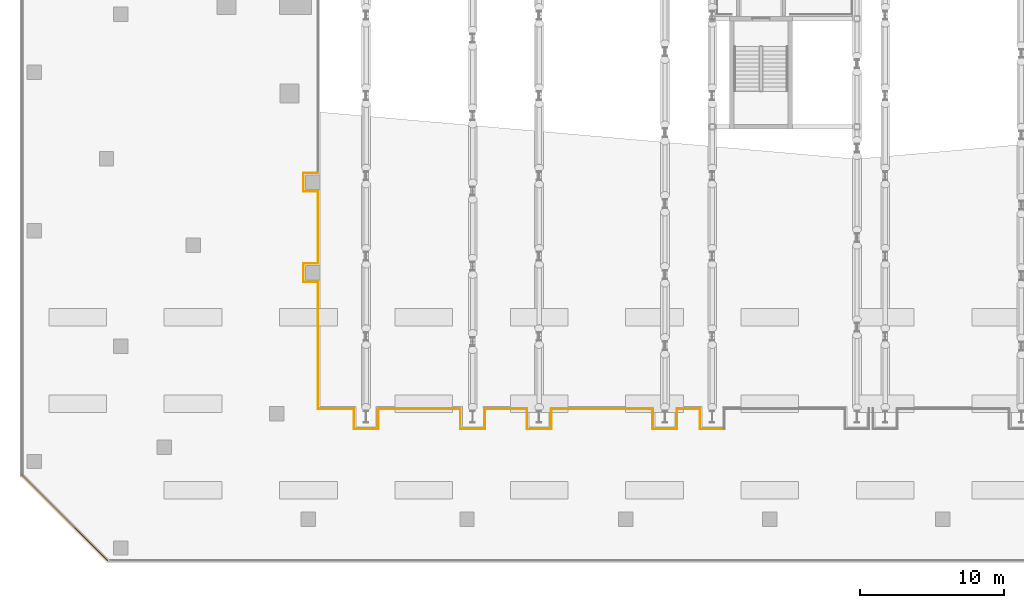
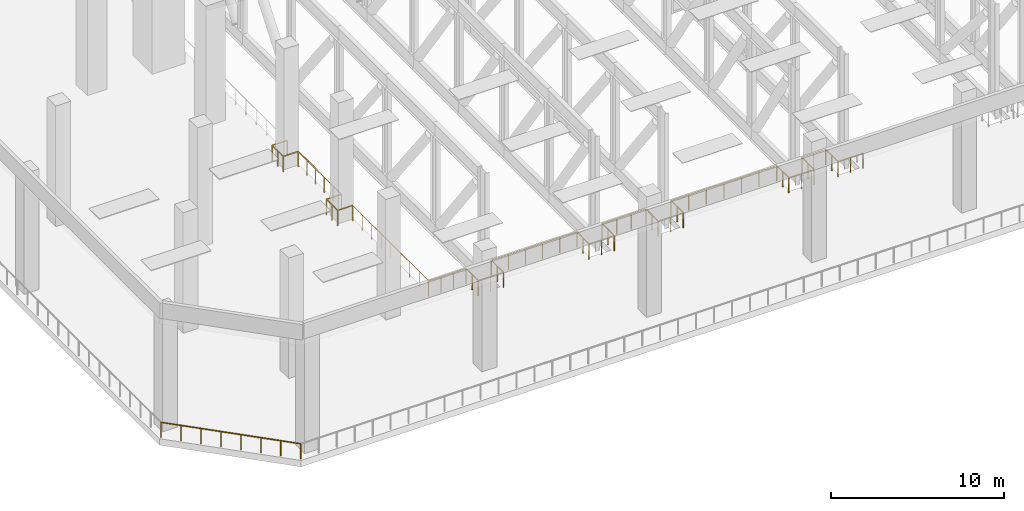
# One storey, part 20 of 33: 28 railings.
"""IFC4 building model written with IfcOpenShell, lengths in metres."""

from ifc_helpers import new_model, si_unit, direction, frame, origin, origin_2d, place, context, subcontext, project, spatial, circle, extrude, material, type_object, element, save


model = new_model("IFC4")

# Units and contexts
model_context = context("Model", 3, precision=1e-05, world=origin(), true_north=direction((0.0, 1.0)))
body_context = subcontext(model_context, "Body", "Model", "MODEL_VIEW")
ifc_project = project(units=[si_unit("LENGTHUNIT", "METRE"), si_unit("AREAUNIT", "SQUARE_METRE"), si_unit("VOLUMEUNIT", "CUBIC_METRE"), si_unit("PLANEANGLEUNIT", "RADIAN"), si_unit("MASSUNIT", "GRAM", prefix="KILO")], contexts=[model_context])

# Site, building, storey
site_placement = place(None, origin())
site = spatial("IfcSite", under=ifc_project, at=site_placement, CompositionType="ELEMENT")
building_placement = place(site_placement, origin())
building = spatial("IfcBuilding", under=site, at=building_placement, Name="Wharfspan Tower", CompositionType="ELEMENT")
storey_placement = place(building_placement, frame((0.0, 0.0, 33.0)))
storey = spatial("IfcBuildingStorey", under=building, at=storey_placement, Name="L05", CompositionType="ELEMENT", Elevation=33.0)

# Railings
ifc_material = material(Name="Steel S355J2", Category="steel")
railing_type = type_object("IfcRailingType", Name="GUARD 1100 STEEL AND GLASS", PredefinedType="GUARDRAIL", material=ifc_material)
railing_1_placement = place(storey_placement, frame((-5.941895, -31.860107, 0.0)))
element("IfcRailing", 1, at=railing_1_placement, inside=storey, type_object=railing_type, Name="Guard on the deck edge", PredefinedType="GUARDRAIL", context=body_context, shape_type="SweptSolid", body=[
    extrude(circle(Radius=0.024902, at=origin_2d()), frame((0.0, 0.0, 1.075195), z_axis=(-0.707107, 0.707107, 0.0), x_axis=(-0.707107, -0.707107, 0.0)), (0.0, 0.0, 1.0), 8.369629),
    extrude(circle(Radius=0.02002, at=origin_2d()), origin(), (0.0, 0.0, 1.0), 1.050049),
    extrude(circle(Radius=0.02002, at=origin_2d()), frame((-0.845459, 0.845459, 0.0)), (0.0, 0.0, 1.0), 1.050049),
    extrude(circle(Radius=0.02002, at=origin_2d()), frame((-1.690918, 1.690918, 0.0)), (0.0, 0.0, 1.0), 1.050049),
    extrude(circle(Radius=0.02002, at=origin_2d()), frame((-2.536377, 2.536377, 0.0)), (0.0, 0.0, 1.0), 1.050049),
    extrude(circle(Radius=0.02002, at=origin_2d()), frame((-3.381836, 3.381836, 0.0)), (0.0, 0.0, 1.0), 1.050049),
    extrude(circle(Radius=0.02002, at=origin_2d()), frame((-4.227295, 4.227295, 0.0)), (0.0, 0.0, 1.0), 1.050049),
    extrude(circle(Radius=0.02002, at=origin_2d()), frame((-5.072754, 5.072754, 0.0)), (0.0, 0.0, 1.0), 1.050049),
    extrude(circle(Radius=0.02002, at=origin_2d()), frame((-5.918213, 5.918213, 0.0)), (0.0, 0.0, 1.0), 1.050049),
])
railing_2_placement = place(storey_placement, frame((8.659912, -12.560059, 0.0)))
element("IfcRailing", 2, at=railing_2_placement, inside=storey, type_object=railing_type, Name="Guard on the deck edge", PredefinedType="GUARDRAIL", context=body_context, shape_type="SweptSolid", body=[
    extrude(circle(Radius=0.024902, at=origin_2d()), frame((0.0, 0.0, 1.075195), z_axis=(0.0, -1.0, 0.0), x_axis=(1.0, 0.0, 0.0)), (0.0, 0.0, 1.0), 8.780029),
    extrude(circle(Radius=0.02002, at=origin_2d()), origin(), (0.0, 0.0, 1.0), 1.050049),
    extrude(circle(Radius=0.02002, at=origin_2d()), frame((0.0, -1.097412, 0.0)), (0.0, 0.0, 1.0), 1.050049),
    extrude(circle(Radius=0.02002, at=origin_2d()), frame((0.0, -2.195068, 0.0)), (0.0, 0.0, 1.0), 1.050049),
    extrude(circle(Radius=0.02002, at=origin_2d()), frame((0.0, -3.29248, 0.0)), (0.0, 0.0, 1.0), 1.050049),
    extrude(circle(Radius=0.02002, at=origin_2d()), frame((0.0, -4.390137, 0.0)), (0.0, 0.0, 1.0), 1.050049),
    extrude(circle(Radius=0.02002, at=origin_2d()), frame((0.0, -5.487549, 0.0)), (0.0, 0.0, 1.0), 1.050049),
    extrude(circle(Radius=0.02002, at=origin_2d()), frame((0.0, -6.584961, 0.0)), (0.0, 0.0, 1.0), 1.050049),
    extrude(circle(Radius=0.02002, at=origin_2d()), frame((0.0, -7.682617, 0.0)), (0.0, 0.0, 1.0), 1.050049),
    extrude(circle(Radius=0.02002, at=origin_2d()), frame((0.0, -8.780029, 0.0)), (0.0, 0.0, 1.0), 1.050049),
])
railing_3_placement = place(storey_placement, frame((8.659912, -21.340088, 0.0)))
element("IfcRailing", 3, at=railing_3_placement, inside=storey, type_object=railing_type, Name="Guard on the deck edge", PredefinedType="GUARDRAIL", context=body_context, shape_type="SweptSolid", body=[
    extrude(circle(Radius=0.024902, at=origin_2d()), frame((0.0, 0.0, 1.075195), z_axis=(1.0, 0.0, 0.0), x_axis=(0.0, 1.0, 0.0)), (0.0, 0.0, 1.0), 2.5),
    extrude(circle(Radius=0.02002, at=origin_2d()), origin(), (0.0, 0.0, 1.0), 1.050049),
    extrude(circle(Radius=0.02002, at=origin_2d()), frame((0.833252, 0.0, 0.0)), (0.0, 0.0, 1.0), 1.050049),
    extrude(circle(Radius=0.02002, at=origin_2d()), frame((1.666748, 0.0, 0.0)), (0.0, 0.0, 1.0), 1.050049),
    extrude(circle(Radius=0.02002, at=origin_2d()), frame((2.5, 0.0, 0.0)), (0.0, 0.0, 1.0), 1.050049),
])
railing_4_placement = place(storey_placement, frame((11.159912, -21.340088, 0.0)))
element("IfcRailing", 4, at=railing_4_placement, inside=storey, type_object=railing_type, Name="Guard on the deck edge", PredefinedType="GUARDRAIL", context=body_context, shape_type="SweptSolid", body=[
    extrude(circle(Radius=0.024902, at=origin_2d()), frame((0.0, 0.0, 1.075195), z_axis=(0.0, -1.0, 0.0), x_axis=(1.0, 0.0, 0.0)), (0.0, 0.0, 1.0), 1.399902),
    extrude(circle(Radius=0.02002, at=origin_2d()), origin(), (0.0, 0.0, 1.0), 1.050049),
    extrude(circle(Radius=0.02002, at=origin_2d()), frame((0.0, -0.699951, 0.0)), (0.0, 0.0, 1.0), 1.050049),
    extrude(circle(Radius=0.02002, at=origin_2d()), frame((0.0, -1.399902, 0.0)), (0.0, 0.0, 1.0), 1.050049),
])
railing_5_placement = place(storey_placement, frame((11.159912, -22.73999, 0.0)))
element("IfcRailing", 5, at=railing_5_placement, inside=storey, type_object=railing_type, Name="Guard on the deck edge", PredefinedType="GUARDRAIL", context=body_context, shape_type="SweptSolid", body=[
    extrude(circle(Radius=0.024902, at=origin_2d()), frame((0.0, 0.0, 1.075195), z_axis=(1.0, 0.0, 0.0), x_axis=(0.0, 1.0, 0.0)), (0.0, 0.0, 1.0), 1.680176),
    extrude(circle(Radius=0.02002, at=origin_2d()), origin(), (0.0, 0.0, 1.0), 1.050049),
    extrude(circle(Radius=0.02002, at=origin_2d()), frame((0.840088, 0.0, 0.0)), (0.0, 0.0, 1.0), 1.050049),
    extrude(circle(Radius=0.02002, at=origin_2d()), frame((1.680176, 0.0, 0.0)), (0.0, 0.0, 1.0), 1.050049),
])
railing_6_placement = place(storey_placement, frame((12.840088, -22.73999, 0.0)))
element("IfcRailing", 6, at=railing_6_placement, inside=storey, type_object=railing_type, Name="Guard on the deck edge", PredefinedType="GUARDRAIL", context=body_context, shape_type="SweptSolid", body=[
    extrude(circle(Radius=0.024902, at=origin_2d()), frame((0.0, 0.0, 1.075195), z_axis=(0.0, 1.0, 0.0), x_axis=(-1.0, 0.0, 0.0)), (0.0, 0.0, 1.0), 1.399902),
    extrude(circle(Radius=0.02002, at=origin_2d()), origin(), (0.0, 0.0, 1.0), 1.050049),
    extrude(circle(Radius=0.02002, at=origin_2d()), frame((0.0, 0.699951, 0.0)), (0.0, 0.0, 1.0), 1.050049),
    extrude(circle(Radius=0.02002, at=origin_2d()), frame((0.0, 1.399902, 0.0)), (0.0, 0.0, 1.0), 1.050049),
])
railing_7_placement = place(storey_placement, frame((12.840088, -21.340088, 0.0)))
element("IfcRailing", 7, at=railing_7_placement, inside=storey, type_object=railing_type, Name="Guard on the deck edge", PredefinedType="GUARDRAIL", context=body_context, shape_type="SweptSolid", body=[
    extrude(circle(Radius=0.024902, at=origin_2d()), frame((0.0, 0.0, 1.075195), z_axis=(1.0, 0.0, 0.0), x_axis=(0.0, 1.0, 0.0)), (0.0, 0.0, 1.0), 5.710938),
    extrude(circle(Radius=0.02002, at=origin_2d()), origin(), (0.0, 0.0, 1.0), 1.050049),
    extrude(circle(Radius=0.02002, at=origin_2d()), frame((1.14209, 0.0, 0.0)), (0.0, 0.0, 1.0), 1.050049),
    extrude(circle(Radius=0.02002, at=origin_2d()), frame((2.284424, 0.0, 0.0)), (0.0, 0.0, 1.0), 1.050049),
    extrude(circle(Radius=0.02002, at=origin_2d()), frame((3.426514, 0.0, 0.0)), (0.0, 0.0, 1.0), 1.050049),
    extrude(circle(Radius=0.02002, at=origin_2d()), frame((4.568848, 0.0, 0.0)), (0.0, 0.0, 1.0), 1.050049),
    extrude(circle(Radius=0.02002, at=origin_2d()), frame((5.710938, 0.0, 0.0)), (0.0, 0.0, 1.0), 1.050049),
])
railing_8_placement = place(storey_placement, frame((18.551025, -21.340088, 0.0)))
element("IfcRailing", 8, at=railing_8_placement, inside=storey, type_object=railing_type, Name="Guard on the deck edge", PredefinedType="GUARDRAIL", context=body_context, shape_type="SweptSolid", body=[
    extrude(circle(Radius=0.024902, at=origin_2d()), frame((0.0, 0.0, 1.075195), z_axis=(0.0, -1.0, 0.0), x_axis=(1.0, 0.0, 0.0)), (0.0, 0.0, 1.0), 1.399902),
    extrude(circle(Radius=0.02002, at=origin_2d()), origin(), (0.0, 0.0, 1.0), 1.050049),
    extrude(circle(Radius=0.02002, at=origin_2d()), frame((0.0, -0.699951, 0.0)), (0.0, 0.0, 1.0), 1.050049),
    extrude(circle(Radius=0.02002, at=origin_2d()), frame((0.0, -1.399902, 0.0)), (0.0, 0.0, 1.0), 1.050049),
])
railing_9_placement = place(storey_placement, frame((18.551025, -22.73999, 0.0)))
element("IfcRailing", 9, at=railing_9_placement, inside=storey, type_object=railing_type, Name="Guard on the deck edge", PredefinedType="GUARDRAIL", context=body_context, shape_type="SweptSolid", body=[
    extrude(circle(Radius=0.024902, at=origin_2d()), frame((0.0, 0.0, 1.075195), z_axis=(1.0, 0.0, 0.0), x_axis=(0.0, 1.0, 0.0)), (0.0, 0.0, 1.0), 1.679932),
    extrude(circle(Radius=0.02002, at=origin_2d()), origin(), (0.0, 0.0, 1.0), 1.050049),
    extrude(circle(Radius=0.02002, at=origin_2d()), frame((0.839844, 0.0, 0.0)), (0.0, 0.0, 1.0), 1.050049),
    extrude(circle(Radius=0.02002, at=origin_2d()), frame((1.679932, 0.0, 0.0)), (0.0, 0.0, 1.0), 1.050049),
])
railing_10_placement = place(storey_placement, frame((20.230957, -22.73999, 0.0)))
element("IfcRailing", 10, at=railing_10_placement, inside=storey, type_object=railing_type, Name="Guard on the deck edge", PredefinedType="GUARDRAIL", context=body_context, shape_type="SweptSolid", body=[
    extrude(circle(Radius=0.024902, at=origin_2d()), frame((0.0, 0.0, 1.075195), z_axis=(0.0, 1.0, 0.0), x_axis=(-1.0, 0.0, 0.0)), (0.0, 0.0, 1.0), 1.399902),
    extrude(circle(Radius=0.02002, at=origin_2d()), origin(), (0.0, 0.0, 1.0), 1.050049),
    extrude(circle(Radius=0.02002, at=origin_2d()), frame((0.0, 0.699951, 0.0)), (0.0, 0.0, 1.0), 1.050049),
    extrude(circle(Radius=0.02002, at=origin_2d()), frame((0.0, 1.399902, 0.0)), (0.0, 0.0, 1.0), 1.050049),
])
railing_11_placement = place(storey_placement, frame((20.230957, -21.340088, 0.0)))
element("IfcRailing", 11, at=railing_11_placement, inside=storey, type_object=railing_type, Name="Guard on the deck edge", PredefinedType="GUARDRAIL", context=body_context, shape_type="SweptSolid", body=[
    extrude(circle(Radius=0.024902, at=origin_2d()), frame((0.0, 0.0, 1.075195), z_axis=(1.0, 0.0, 0.0), x_axis=(0.0, 1.0, 0.0)), (0.0, 0.0, 1.0), 2.928955),
    extrude(circle(Radius=0.02002, at=origin_2d()), origin(), (0.0, 0.0, 1.0), 1.050049),
    extrude(circle(Radius=0.02002, at=origin_2d()), frame((0.976318, 0.0, 0.0)), (0.0, 0.0, 1.0), 1.050049),
    extrude(circle(Radius=0.02002, at=origin_2d()), frame((1.952637, 0.0, 0.0)), (0.0, 0.0, 1.0), 1.050049),
    extrude(circle(Radius=0.02002, at=origin_2d()), frame((2.928955, 0.0, 0.0)), (0.0, 0.0, 1.0), 1.050049),
])
railing_12_placement = place(storey_placement, frame((23.159912, -21.340088, 0.0)))
element("IfcRailing", 12, at=railing_12_placement, inside=storey, type_object=railing_type, Name="Guard on the deck edge", PredefinedType="GUARDRAIL", context=body_context, shape_type="SweptSolid", body=[
    extrude(circle(Radius=0.024902, at=origin_2d()), frame((0.0, 0.0, 1.075195), z_axis=(0.0, -1.0, 0.0), x_axis=(1.0, 0.0, 0.0)), (0.0, 0.0, 1.0), 1.399902),
    extrude(circle(Radius=0.02002, at=origin_2d()), origin(), (0.0, 0.0, 1.0), 1.050049),
    extrude(circle(Radius=0.02002, at=origin_2d()), frame((0.0, -0.699951, 0.0)), (0.0, 0.0, 1.0), 1.050049),
    extrude(circle(Radius=0.02002, at=origin_2d()), frame((0.0, -1.399902, 0.0)), (0.0, 0.0, 1.0), 1.050049),
])
railing_13_placement = place(storey_placement, frame((23.159912, -22.73999, 0.0)))
element("IfcRailing", 13, at=railing_13_placement, inside=storey, type_object=railing_type, Name="Guard on the deck edge", PredefinedType="GUARDRAIL", context=body_context, shape_type="SweptSolid", body=[
    extrude(circle(Radius=0.024902, at=origin_2d()), frame((0.0, 0.0, 1.075195), z_axis=(1.0, 0.0, 0.0), x_axis=(0.0, 1.0, 0.0)), (0.0, 0.0, 1.0), 1.680176),
    extrude(circle(Radius=0.02002, at=origin_2d()), origin(), (0.0, 0.0, 1.0), 1.050049),
    extrude(circle(Radius=0.02002, at=origin_2d()), frame((0.840088, 0.0, 0.0)), (0.0, 0.0, 1.0), 1.050049),
    extrude(circle(Radius=0.02002, at=origin_2d()), frame((1.680176, 0.0, 0.0)), (0.0, 0.0, 1.0), 1.050049),
])
railing_14_placement = place(storey_placement, frame((24.840088, -22.73999, 0.0)))
element("IfcRailing", 14, at=railing_14_placement, inside=storey, type_object=railing_type, Name="Guard on the deck edge", PredefinedType="GUARDRAIL", context=body_context, shape_type="SweptSolid", body=[
    extrude(circle(Radius=0.024902, at=origin_2d()), frame((0.0, 0.0, 1.075195), z_axis=(0.0, 1.0, 0.0), x_axis=(-1.0, 0.0, 0.0)), (0.0, 0.0, 1.0), 1.399902),
    extrude(circle(Radius=0.02002, at=origin_2d()), origin(), (0.0, 0.0, 1.0), 1.050049),
    extrude(circle(Radius=0.02002, at=origin_2d()), frame((0.0, 0.699951, 0.0)), (0.0, 0.0, 1.0), 1.050049),
    extrude(circle(Radius=0.02002, at=origin_2d()), frame((0.0, 1.399902, 0.0)), (0.0, 0.0, 1.0), 1.050049),
])
railing_15_placement = place(storey_placement, frame((24.840088, -21.340088, 0.0)))
element("IfcRailing", 15, at=railing_15_placement, inside=storey, type_object=railing_type, Name="Guard on the deck edge", PredefinedType="GUARDRAIL", context=body_context, shape_type="SweptSolid", body=[
    extrude(circle(Radius=0.024902, at=origin_2d()), frame((0.0, 0.0, 1.075195), z_axis=(1.0, 0.0, 0.0), x_axis=(0.0, 1.0, 0.0)), (0.0, 0.0, 1.0), 7.043945),
    extrude(circle(Radius=0.02002, at=origin_2d()), origin(), (0.0, 0.0, 1.0), 1.050049),
    extrude(circle(Radius=0.02002, at=origin_2d()), frame((1.174072, 0.0, 0.0)), (0.0, 0.0, 1.0), 1.050049),
    extrude(circle(Radius=0.02002, at=origin_2d()), frame((2.3479, 0.0, 0.0)), (0.0, 0.0, 1.0), 1.050049),
    extrude(circle(Radius=0.02002, at=origin_2d()), frame((3.521973, 0.0, 0.0)), (0.0, 0.0, 1.0), 1.050049),
    extrude(circle(Radius=0.02002, at=origin_2d()), frame((4.696045, 0.0, 0.0)), (0.0, 0.0, 1.0), 1.050049),
    extrude(circle(Radius=0.02002, at=origin_2d()), frame((5.869873, 0.0, 0.0)), (0.0, 0.0, 1.0), 1.050049),
    extrude(circle(Radius=0.02002, at=origin_2d()), frame((7.043945, 0.0, 0.0)), (0.0, 0.0, 1.0), 1.050049),
])
railing_16_placement = place(storey_placement, frame((31.884033, -21.340088, 0.0)))
element("IfcRailing", 16, at=railing_16_placement, inside=storey, type_object=railing_type, Name="Guard on the deck edge", PredefinedType="GUARDRAIL", context=body_context, shape_type="SweptSolid", body=[
    extrude(circle(Radius=0.024902, at=origin_2d()), frame((0.0, 0.0, 1.075195), z_axis=(0.0, -1.0, 0.0), x_axis=(1.0, 0.0, 0.0)), (0.0, 0.0, 1.0), 1.399902),
    extrude(circle(Radius=0.02002, at=origin_2d()), origin(), (0.0, 0.0, 1.0), 1.050049),
    extrude(circle(Radius=0.02002, at=origin_2d()), frame((0.0, -0.699951, 0.0)), (0.0, 0.0, 1.0), 1.050049),
    extrude(circle(Radius=0.02002, at=origin_2d()), frame((0.0, -1.399902, 0.0)), (0.0, 0.0, 1.0), 1.050049),
])
railing_17_placement = place(storey_placement, frame((31.884033, -22.73999, 0.0)))
element("IfcRailing", 17, at=railing_17_placement, inside=storey, type_object=railing_type, Name="Guard on the deck edge", PredefinedType="GUARDRAIL", context=body_context, shape_type="SweptSolid", body=[
    extrude(circle(Radius=0.024902, at=origin_2d()), frame((0.0, 0.0, 1.075195), z_axis=(1.0, 0.0, 0.0), x_axis=(0.0, 1.0, 0.0)), (0.0, 0.0, 1.0), 1.679932),
    extrude(circle(Radius=0.02002, at=origin_2d()), origin(), (0.0, 0.0, 1.0), 1.050049),
    extrude(circle(Radius=0.02002, at=origin_2d()), frame((0.839844, 0.0, 0.0)), (0.0, 0.0, 1.0), 1.050049),
    extrude(circle(Radius=0.02002, at=origin_2d()), frame((1.679932, 0.0, 0.0)), (0.0, 0.0, 1.0), 1.050049),
])
railing_18_placement = place(storey_placement, frame((33.563965, -22.73999, 0.0)))
element("IfcRailing", 18, at=railing_18_placement, inside=storey, type_object=railing_type, Name="Guard on the deck edge", PredefinedType="GUARDRAIL", context=body_context, shape_type="SweptSolid", body=[
    extrude(circle(Radius=0.024902, at=origin_2d()), frame((0.0, 0.0, 1.075195), z_axis=(0.0, 1.0, 0.0), x_axis=(-1.0, 0.0, 0.0)), (0.0, 0.0, 1.0), 1.399902),
    extrude(circle(Radius=0.02002, at=origin_2d()), origin(), (0.0, 0.0, 1.0), 1.050049),
    extrude(circle(Radius=0.02002, at=origin_2d()), frame((0.0, 0.699951, 0.0)), (0.0, 0.0, 1.0), 1.050049),
    extrude(circle(Radius=0.02002, at=origin_2d()), frame((0.0, 1.399902, 0.0)), (0.0, 0.0, 1.0), 1.050049),
])
railing_19_placement = place(storey_placement, frame((33.563965, -21.340088, 0.0)))
element("IfcRailing", 19, at=railing_19_placement, inside=storey, type_object=railing_type, Name="Guard on the deck edge", PredefinedType="GUARDRAIL", context=body_context, shape_type="SweptSolid", body=[
    extrude(circle(Radius=0.024902, at=origin_2d()), frame((0.0, 0.0, 1.075195), z_axis=(1.0, 0.0, 0.0), x_axis=(0.0, 1.0, 0.0)), (0.0, 0.0, 1.0), 1.595947),
    extrude(circle(Radius=0.02002, at=origin_2d()), origin(), (0.0, 0.0, 1.0), 1.050049),
    extrude(circle(Radius=0.02002, at=origin_2d()), frame((0.797852, 0.0, 0.0)), (0.0, 0.0, 1.0), 1.050049),
    extrude(circle(Radius=0.02002, at=origin_2d()), frame((1.595947, 0.0, 0.0)), (0.0, 0.0, 1.0), 1.050049),
])
railing_20_placement = place(storey_placement, frame((35.159912, -21.340088, 0.0)))
element("IfcRailing", 20, at=railing_20_placement, inside=storey, type_object=railing_type, Name="Guard on the deck edge", PredefinedType="GUARDRAIL", context=body_context, shape_type="SweptSolid", body=[
    extrude(circle(Radius=0.024902, at=origin_2d()), frame((0.0, 0.0, 1.075195), z_axis=(0.0, -1.0, 0.0), x_axis=(1.0, 0.0, 0.0)), (0.0, 0.0, 1.0), 1.399902),
    extrude(circle(Radius=0.02002, at=origin_2d()), origin(), (0.0, 0.0, 1.0), 1.050049),
    extrude(circle(Radius=0.02002, at=origin_2d()), frame((0.0, -0.699951, 0.0)), (0.0, 0.0, 1.0), 1.050049),
    extrude(circle(Radius=0.02002, at=origin_2d()), frame((0.0, -1.399902, 0.0)), (0.0, 0.0, 1.0), 1.050049),
])
railing_21_placement = place(storey_placement, frame((35.159912, -22.73999, 0.0)))
element("IfcRailing", 21, at=railing_21_placement, inside=storey, type_object=railing_type, Name="Guard on the deck edge", PredefinedType="GUARDRAIL", context=body_context, shape_type="SweptSolid", body=[
    extrude(circle(Radius=0.024902, at=origin_2d()), frame((0.0, 0.0, 1.075195), z_axis=(1.0, 0.0, 0.0), x_axis=(0.0, 1.0, 0.0)), (0.0, 0.0, 1.0), 1.680176),
    extrude(circle(Radius=0.02002, at=origin_2d()), origin(), (0.0, 0.0, 1.0), 1.050049),
    extrude(circle(Radius=0.02002, at=origin_2d()), frame((0.840088, 0.0, 0.0)), (0.0, 0.0, 1.0), 1.050049),
    extrude(circle(Radius=0.02002, at=origin_2d()), frame((1.680176, 0.0, 0.0)), (0.0, 0.0, 1.0), 1.050049),
])
railing_22_placement = place(storey_placement, frame((8.659912, -5.0, 0.0)))
element("IfcRailing", 22, at=railing_22_placement, inside=storey, type_object=railing_type, Name="Guard on the deck edge", PredefinedType="GUARDRAIL", context=body_context, shape_type="SweptSolid", body=[
    extrude(circle(Radius=0.024902, at=origin_2d()), frame((0.0, 0.0, 1.075195), z_axis=(-1.0, 0.0, 0.0), x_axis=(0.0, -1.0, 0.0)), (0.0, 0.0, 1.0), 1.0),
    extrude(circle(Radius=0.02002, at=origin_2d()), origin(), (0.0, 0.0, 1.0), 1.050049),
    extrude(circle(Radius=0.02002, at=origin_2d()), frame((-1.0, 0.0, 0.0)), (0.0, 0.0, 1.0), 1.050049),
])
railing_23_placement = place(storey_placement, frame((7.659912, -5.0, 0.0)))
element("IfcRailing", 23, at=railing_23_placement, inside=storey, type_object=railing_type, Name="Guard on the deck edge", PredefinedType="GUARDRAIL", context=body_context, shape_type="SweptSolid", body=[
    extrude(circle(Radius=0.024902, at=origin_2d()), frame((0.0, 0.0, 1.075195), z_axis=(0.0, -1.0, 0.0), x_axis=(1.0, 0.0, 0.0)), (0.0, 0.0, 1.0), 1.280029),
    extrude(circle(Radius=0.02002, at=origin_2d()), origin(), (0.0, 0.0, 1.0), 1.050049),
    extrude(circle(Radius=0.02002, at=origin_2d()), frame((0.0, -0.640137, 0.0)), (0.0, 0.0, 1.0), 1.050049),
    extrude(circle(Radius=0.02002, at=origin_2d()), frame((0.0, -1.280029, 0.0)), (0.0, 0.0, 1.0), 1.050049),
])
railing_24_placement = place(storey_placement, frame((7.659912, -6.280029, 0.0)))
element("IfcRailing", 24, at=railing_24_placement, inside=storey, type_object=railing_type, Name="Guard on the deck edge", PredefinedType="GUARDRAIL", context=body_context, shape_type="SweptSolid", body=[
    extrude(circle(Radius=0.024902, at=origin_2d()), frame((0.0, 0.0, 1.075195), z_axis=(1.0, 0.0, 0.0), x_axis=(0.0, 1.0, 0.0)), (0.0, 0.0, 1.0), 1.0),
    extrude(circle(Radius=0.02002, at=origin_2d()), origin(), (0.0, 0.0, 1.0), 1.050049),
    extrude(circle(Radius=0.02002, at=origin_2d()), frame((1.0, 0.0, 0.0)), (0.0, 0.0, 1.0), 1.050049),
])
railing_25_placement = place(storey_placement, frame((8.659912, -6.280029, 0.0)))
element("IfcRailing", 25, at=railing_25_placement, inside=storey, type_object=railing_type, Name="Guard on the deck edge", PredefinedType="GUARDRAIL", context=body_context, shape_type="SweptSolid", body=[
    extrude(circle(Radius=0.024902, at=origin_2d()), frame((0.0, 0.0, 1.075195), z_axis=(0.0, -1.0, 0.0), x_axis=(1.0, 0.0, 0.0)), (0.0, 0.0, 1.0), 5.0),
    extrude(circle(Radius=0.02002, at=origin_2d()), origin(), (0.0, 0.0, 1.0), 1.050049),
    extrude(circle(Radius=0.02002, at=origin_2d()), frame((0.0, -1.0, 0.0)), (0.0, 0.0, 1.0), 1.050049),
    extrude(circle(Radius=0.02002, at=origin_2d()), frame((0.0, -2.0, 0.0)), (0.0, 0.0, 1.0), 1.050049),
    extrude(circle(Radius=0.02002, at=origin_2d()), frame((0.0, -3.0, 0.0)), (0.0, 0.0, 1.0), 1.050049),
    extrude(circle(Radius=0.02002, at=origin_2d()), frame((0.0, -4.0, 0.0)), (0.0, 0.0, 1.0), 1.050049),
    extrude(circle(Radius=0.02002, at=origin_2d()), frame((0.0, -5.0, 0.0)), (0.0, 0.0, 1.0), 1.050049),
])
railing_26_placement = place(storey_placement, frame((8.659912, -11.280029, 0.0)))
element("IfcRailing", 26, at=railing_26_placement, inside=storey, type_object=railing_type, Name="Guard on the deck edge", PredefinedType="GUARDRAIL", context=body_context, shape_type="SweptSolid", body=[
    extrude(circle(Radius=0.024902, at=origin_2d()), frame((0.0, 0.0, 1.075195), z_axis=(-1.0, 0.0, 0.0), x_axis=(0.0, -1.0, 0.0)), (0.0, 0.0, 1.0), 1.0),
    extrude(circle(Radius=0.02002, at=origin_2d()), origin(), (0.0, 0.0, 1.0), 1.050049),
    extrude(circle(Radius=0.02002, at=origin_2d()), frame((-1.0, 0.0, 0.0)), (0.0, 0.0, 1.0), 1.050049),
])
railing_27_placement = place(storey_placement, frame((7.659912, -11.280029, 0.0)))
element("IfcRailing", 27, at=railing_27_placement, inside=storey, type_object=railing_type, Name="Guard on the deck edge", PredefinedType="GUARDRAIL", context=body_context, shape_type="SweptSolid", body=[
    extrude(circle(Radius=0.024902, at=origin_2d()), frame((0.0, 0.0, 1.075195), z_axis=(0.0, -1.0, 0.0), x_axis=(1.0, 0.0, 0.0)), (0.0, 0.0, 1.0), 1.280029),
    extrude(circle(Radius=0.02002, at=origin_2d()), origin(), (0.0, 0.0, 1.0), 1.050049),
    extrude(circle(Radius=0.02002, at=origin_2d()), frame((0.0, -0.640137, 0.0)), (0.0, 0.0, 1.0), 1.050049),
    extrude(circle(Radius=0.02002, at=origin_2d()), frame((0.0, -1.280029, 0.0)), (0.0, 0.0, 1.0), 1.050049),
])
railing_28_placement = place(storey_placement, frame((7.659912, -12.560059, 0.0)))
element("IfcRailing", 28, at=railing_28_placement, inside=storey, type_object=railing_type, Name="Guard on the deck edge", PredefinedType="GUARDRAIL", context=body_context, shape_type="SweptSolid", body=[
    extrude(circle(Radius=0.024902, at=origin_2d()), frame((0.0, 0.0, 1.075195), z_axis=(1.0, 0.0, 0.0), x_axis=(0.0, 1.0, 0.0)), (0.0, 0.0, 1.0), 1.0),
    extrude(circle(Radius=0.02002, at=origin_2d()), origin(), (0.0, 0.0, 1.0), 1.050049),
    extrude(circle(Radius=0.02002, at=origin_2d()), frame((1.0, 0.0, 0.0)), (0.0, 0.0, 1.0), 1.050049),
])

save(model, "model.ifc")
